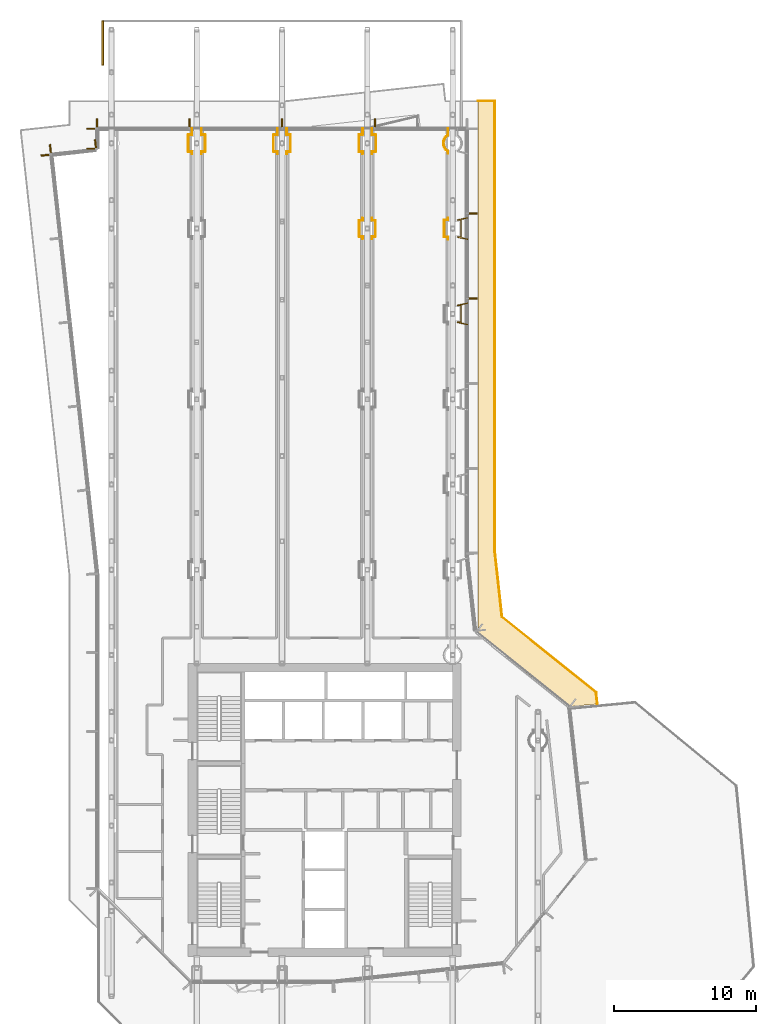
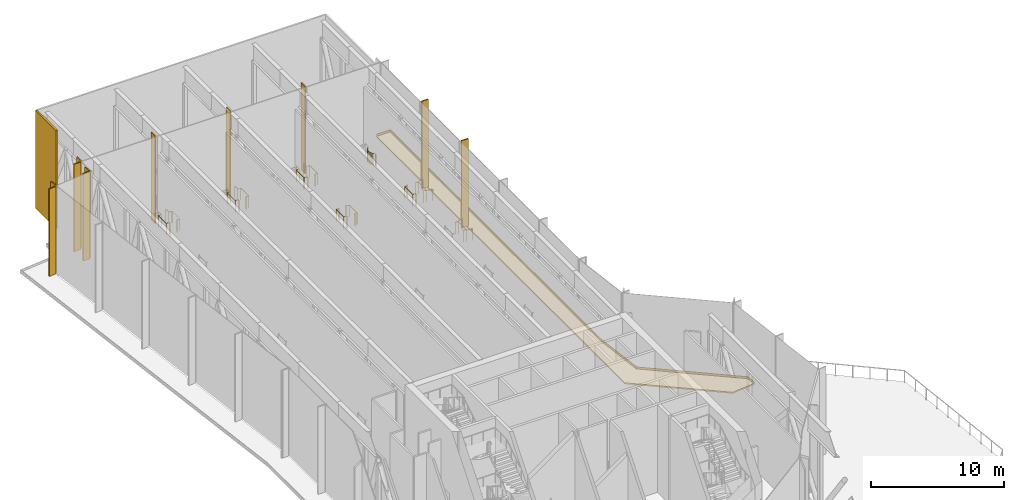
# One storey, part 21 of 22: 14 coverings, 12 railings.
"""IFC4 building model written with IfcOpenShell, lengths in metres."""

from ifc_helpers import new_model, si_unit, direction, frame, origin, origin_2d, place, context, subcontext, project, spatial, polyline, rectangle, circle, outline, extrude, material, layer, layer_set, type_object, element, save


model = new_model("IFC4")

# Units and contexts
model_context = context("Model", 3, precision=1e-05, world=origin(), true_north=direction((0.0, 1.0)))
body_context = subcontext(model_context, "Body", "Model", "MODEL_VIEW")
ifc_project = project(units=[si_unit("LENGTHUNIT", "METRE"), si_unit("AREAUNIT", "SQUARE_METRE"), si_unit("VOLUMEUNIT", "CUBIC_METRE"), si_unit("PLANEANGLEUNIT", "RADIAN"), si_unit("MASSUNIT", "GRAM", prefix="KILO")], contexts=[model_context])

# Site, building, storey
site_placement = place(None, origin())
site = spatial("IfcSite", under=ifc_project, at=site_placement, CompositionType="ELEMENT")
building_placement = place(site_placement, origin())
building = spatial("IfcBuilding", under=site, at=building_placement, Name="Welwitschia Terrace Campus", CompositionType="ELEMENT")
storey_placement = place(building_placement, frame((0.0, 0.0, 197.0)))
storey = spatial("IfcBuildingStorey", under=building, at=storey_placement, Name="L44", CompositionType="ELEMENT", Elevation=197.0)

# Coverings
ifc_material_1 = material(Name="Bronze anodised aluminium", Category="aluminium")
ifc_layer_1 = layer(ifc_material_1, 0.10009765625)
ifc_layer_set_1 = layer_set([ifc_layer_1], Name="Bronze anodised aluminium")
covering_type_1 = type_object("IfcCoveringType", Name="Bronze fin 100x600", PredefinedType="USERDEFINED", material=ifc_layer_set_1)
for number, where, z_axis, x_axis, name in (
    (1, (25.429931640625, 51.085693359375, 0.0), (0.0, 0.0, 1.0), (0.0, 1.0, 0.0), "Fin L44.4.3"),
    (2, (25.429931640625, 57.06787109375, 0.0), (0.0, 0.0, 1.0), (0.0, 1.0, 0.0), "Fin L44.4.4"),
    (3, (18.52490234375, 63.429931640625, 0.0), (0.0, 0.0, 1.0), (-1.0, 0.0, 0.0), "Fin L44.5.1"),
    (4, (12.0, 63.429931640625, 0.0), (0.0, 0.0, 1.0), (-1.0, 0.0, 0.0), "Fin L44.5.2"),
    (5, (5.47509765625, 63.429931640625, 0.0), (0.0, 0.0, 1.0), (-1.0, 0.0, 0.0), "Fin L44.5.3"),
    (6, (-1.02001953125, 63.429931640625, 0.0), (0.0, 0.0, 1.0), (-1.0, 0.0, 0.0), "Fin L44.5.4"),
    (7, (-1.429931640625, 63.02001953125, 0.0), (0.0, 0.0, 1.0), (0.0, -1.0, 0.0), "Fin L44.6.0"),
    (8, (-1.429931640625, 61.61669921875, 0.0), (0.0, 0.0, 1.0), (0.0, -1.0, 0.0), "Fin L44.6.1"),
    (9, (-1.12109375, 61.961181640625, 0.0), (0.0, 0.0, 1.0), (-0.994056338222, -0.108866874852, 0.0), "Fin L44.7.0"),
    (10, (-4.294189453125, 61.61376953125, 0.0), (0.0, 0.0, 1.0), (-0.994056338222, -0.108866874852, 0.0), "Fin L44.7.1"),
    (11, (-4.6572265625, 61.16162109375, 0.0), (0.0, 0.0, 1.0), (0.108866874852, -0.994056338222, 0.0), "Fin L44.8.0"),
):
    element("IfcCovering", number, at=place(storey_placement, frame(where, z_axis=z_axis, x_axis=x_axis)), inside=storey, type_object=covering_type_1, Name=name, ObjectType="FIN", PredefinedType="USERDEFINED", context=body_context, shape_type="SweptSolid", body=[
        extrude(rectangle(XDim=0.10009765625, YDim=0.60009765625, at=origin_2d()), origin(), (0.0, 0.0, 1.0), 8.050048828125),
    ])

# Railings
ifc_material_2 = material(Name="Stainless steel grade 316", Category="steel")
railing_type = type_object("IfcRailingType", Name="Guard 1100", PredefinedType="GUARDRAIL", material=ifc_material_2)
railing_1_placement = place(storey_placement, frame((23.669921875, 63.050048828125, 0.0)))
element("IfcRailing", 12, at=railing_1_placement, inside=storey, type_object=railing_type, Name="Guard floor edge L44.6", PredefinedType="GUARDRAIL", context=body_context, shape_type="SweptSolid", body=[
    extrude(circle(Radius=0.02392578125, at=origin_2d()), frame((0.0, 0.0, 1.076171875), z_axis=(0.0, -1.0, 0.0), x_axis=(1.0, 0.0, 0.0)), (0.0, 0.0, 1.0), 0.498046875),
    extrude(circle(Radius=0.02392578125, at=origin_2d()), frame((0.0, -0.498046875, 1.076171875), z_axis=(-0.883604146744, -0.468234676052, 0.0), x_axis=(0.468234676052, -0.883604146744, 0.0)), (0.0, 0.0, 1.0), 0.0322265625),
    extrude(circle(Radius=0.02392578125, at=origin_2d()), frame((-0.028564453125, -0.51318359375, 1.076171875), z_axis=(-0.773097611008, -0.634287067386, 0.0), x_axis=(0.634287067386, -0.773097611008, 0.0)), (0.0, 0.0, 1.0), 0.126708984375),
    extrude(circle(Radius=0.02392578125, at=origin_2d()), frame((-0.12646484375, -0.593505859375, 1.076171875), z_axis=(-0.634287067386, -0.773097611008, 0.0), x_axis=(0.773097611008, -0.634287067386, 0.0)), (0.0, 0.0, 1.0), 0.126708984375),
    extrude(circle(Radius=0.02392578125, at=origin_2d()), frame((-0.206787109375, -0.69140625, 1.076171875), z_axis=(-0.470988937455, -0.882139116463, 0.0), x_axis=(0.882139116463, -0.470988937455, 0.0)), (0.0, 0.0, 1.0), 0.12646484375),
    extrude(circle(Radius=0.02392578125, at=origin_2d()), frame((-0.266357421875, -0.802978515625, 1.076171875), z_axis=(-0.291238363653, -0.956650519018, 0.0), x_axis=(0.956650519018, -0.291238363653, 0.0)), (0.0, 0.0, 1.0), 0.12646484375),
    extrude(circle(Radius=0.02392578125, at=origin_2d()), frame((-0.30322265625, -0.924072265625, 1.076171875), z_axis=(-0.096447487817, -0.995338074271, 0.0), x_axis=(0.995338074271, -0.096447487817, 0.0)), (0.0, 0.0, 1.0), 0.12646484375),
    extrude(circle(Radius=0.02392578125, at=origin_2d()), frame((-0.3154296875, -1.050048828125, 1.076171875), z_axis=(0.096447487817, -0.995338074271, 0.0), x_axis=(0.995338074271, 0.096447487817, 0.0)), (0.0, 0.0, 1.0), 0.12646484375),
    extrude(circle(Radius=0.02392578125, at=origin_2d()), frame((-0.30322265625, -1.176025390625, 1.076171875), z_axis=(0.291238363653, -0.956650519018, 0.0), x_axis=(0.956650519018, 0.291238363653, 0.0)), (0.0, 0.0, 1.0), 0.12646484375),
    extrude(circle(Radius=0.02392578125, at=origin_2d()), frame((-0.266357421875, -1.297119140625, 1.076171875), z_axis=(0.470988937455, -0.882139116463, 0.0), x_axis=(0.882139116463, 0.470988937455, 0.0)), (0.0, 0.0, 1.0), 0.12646484375),
    extrude(circle(Radius=0.02392578125, at=origin_2d()), frame((-0.206787109375, -1.40869140625, 1.076171875), z_axis=(0.634287067386, -0.773097611008, 0.0), x_axis=(0.773097611008, 0.634287067386, 0.0)), (0.0, 0.0, 1.0), 0.126708984375),
    extrude(circle(Radius=0.02392578125, at=origin_2d()), frame((-0.12646484375, -1.506591796875, 1.076171875), z_axis=(0.773097611008, -0.634287067386, 0.0), x_axis=(0.634287067386, 0.773097611008, 0.0)), (0.0, 0.0, 1.0), 0.126708984375),
    extrude(circle(Radius=0.02392578125, at=origin_2d()), frame((-0.028564453125, -1.5869140625, 1.076171875), z_axis=(0.883604146744, -0.468234676052, 0.0), x_axis=(0.468234676052, 0.883604146744, 0.0)), (0.0, 0.0, 1.0), 0.0322265625),
    extrude(circle(Radius=0.02392578125, at=origin_2d()), frame((0.0, -1.60205078125, 1.076171875), z_axis=(0.0, -1.0, 0.0), x_axis=(1.0, 0.0, 0.0)), (0.0, 0.0, 1.0), 0.181396484375),
    extrude(circle(Radius=0.02099609375, at=origin_2d()), origin(), (0.0, 0.0, 1.0), 1.052001953125),
    extrude(circle(Radius=0.02099609375, at=origin_2d()), frame((0.0, -0.498046875, 0.0)), (0.0, 0.0, 1.0), 1.052001953125),
    extrude(circle(Radius=0.02099609375, at=origin_2d()), frame((-0.028564453125, -0.51318359375, 0.0)), (0.0, 0.0, 1.0), 1.052001953125),
    extrude(circle(Radius=0.02099609375, at=origin_2d()), frame((-0.12646484375, -0.593505859375, 0.0)), (0.0, 0.0, 1.0), 1.052001953125),
    extrude(circle(Radius=0.02099609375, at=origin_2d()), frame((-0.206787109375, -0.69140625, 0.0)), (0.0, 0.0, 1.0), 1.052001953125),
    extrude(circle(Radius=0.02099609375, at=origin_2d()), frame((-0.266357421875, -0.802978515625, 0.0)), (0.0, 0.0, 1.0), 1.052001953125),
    extrude(circle(Radius=0.02099609375, at=origin_2d()), frame((-0.30322265625, -0.924072265625, 0.0)), (0.0, 0.0, 1.0), 1.052001953125),
    extrude(circle(Radius=0.02099609375, at=origin_2d()), frame((-0.3154296875, -1.050048828125, 0.0)), (0.0, 0.0, 1.0), 1.052001953125),
    extrude(circle(Radius=0.02099609375, at=origin_2d()), frame((-0.30322265625, -1.176025390625, 0.0)), (0.0, 0.0, 1.0), 1.052001953125),
    extrude(circle(Radius=0.02099609375, at=origin_2d()), frame((-0.266357421875, -1.297119140625, 0.0)), (0.0, 0.0, 1.0), 1.052001953125),
    extrude(circle(Radius=0.02099609375, at=origin_2d()), frame((-0.206787109375, -1.40869140625, 0.0)), (0.0, 0.0, 1.0), 1.052001953125),
    extrude(circle(Radius=0.02099609375, at=origin_2d()), frame((-0.12646484375, -1.506591796875, 0.0)), (0.0, 0.0, 1.0), 1.052001953125),
    extrude(circle(Radius=0.02099609375, at=origin_2d()), frame((-0.028564453125, -1.5869140625, 0.0)), (0.0, 0.0, 1.0), 1.052001953125),
    extrude(circle(Radius=0.02099609375, at=origin_2d()), frame((0.0, -1.60205078125, 0.0)), (0.0, 0.0, 1.0), 1.052001953125),
    extrude(circle(Radius=0.02099609375, at=origin_2d()), frame((0.0, -1.783447265625, 0.0)), (0.0, 0.0, 1.0), 1.052001953125),
])
railing_2_placement = place(storey_placement, frame((25.050048828125, 49.2451171875, 0.0)))
element("IfcRailing", 13, at=railing_2_placement, inside=storey, type_object=railing_type, Name="Guard floor edge L44.13", PredefinedType="GUARDRAIL", context=body_context, shape_type="SweptSolid", body=[
    extrude(circle(Radius=0.02392578125, at=origin_2d()), frame((0.0, 0.0, 1.076171875), z_axis=(-0.976210421415, 0.216825305536, 0.0), x_axis=(-0.216825305536, -0.976210421415, 0.0)), (0.0, 0.0, 1.0), 0.737548828125),
    extrude(circle(Radius=0.02392578125, at=origin_2d()), frame((-0.719970703125, 0.159912109375, 1.076171875), z_axis=(1.0, 0.0, 0.0), x_axis=(0.0, 1.0, 0.0)), (0.0, 0.0, 1.0), 0.264892578125),
    extrude(circle(Radius=0.02392578125, at=origin_2d()), frame((-0.455078125, 0.159912109375, 1.076171875), z_axis=(0.0, 1.0, 0.0), x_axis=(-1.0, 0.0, 0.0)), (0.0, 0.0, 1.0), 1.18994140625),
    extrude(circle(Radius=0.02392578125, at=origin_2d()), frame((-0.455078125, 1.349853515625, 1.076171875), z_axis=(-1.0, 0.0, 0.0), x_axis=(0.0, -1.0, 0.0)), (0.0, 0.0, 1.0), 0.264892578125),
    extrude(circle(Radius=0.02392578125, at=origin_2d()), frame((-0.719970703125, 1.349853515625, 1.076171875), z_axis=(0.976210421415, 0.216825305536, 0.0), x_axis=(-0.216825305536, 0.976210421415, 0.0)), (0.0, 0.0, 1.0), 0.737548828125),
    extrude(circle(Radius=0.02099609375, at=origin_2d()), origin(), (0.0, 0.0, 1.0), 1.052001953125),
    extrude(circle(Radius=0.02099609375, at=origin_2d()), frame((-0.719970703125, 0.159912109375, 0.0)), (0.0, 0.0, 1.0), 1.052001953125),
    extrude(circle(Radius=0.02099609375, at=origin_2d()), frame((-0.455078125, 0.159912109375, 0.0)), (0.0, 0.0, 1.0), 1.052001953125),
    extrude(circle(Radius=0.02099609375, at=origin_2d()), frame((-0.455078125, 1.349853515625, 0.0)), (0.0, 0.0, 1.0), 1.052001953125),
    extrude(circle(Radius=0.02099609375, at=origin_2d()), frame((-0.719970703125, 1.349853515625, 0.0)), (0.0, 0.0, 1.0), 1.052001953125),
    extrude(circle(Radius=0.02099609375, at=origin_2d()), frame((0.0, 1.509765625, 0.0)), (0.0, 0.0, 1.0), 1.052001953125),
])
railing_3_placement = place(storey_placement, frame((23.669921875, 56.7548828125, 0.0)))
element("IfcRailing", 14, at=railing_3_placement, inside=storey, type_object=railing_type, Name="Guard floor edge L44.14", PredefinedType="GUARDRAIL", context=body_context, shape_type="SweptSolid", body=[
    extrude(circle(Radius=0.02392578125, at=origin_2d()), frame((0.0, 0.0, 1.076171875), z_axis=(0.0, -1.0, 0.0), x_axis=(1.0, 0.0, 0.0)), (0.0, 0.0, 1.0), 0.159912109375),
    extrude(circle(Radius=0.02392578125, at=origin_2d()), frame((0.0, -0.159912109375, 1.076171875), z_axis=(-1.0, 0.0, 0.0), x_axis=(0.0, -1.0, 0.0)), (0.0, 0.0, 1.0), 0.264892578125),
    extrude(circle(Radius=0.02392578125, at=origin_2d()), frame((-0.264892578125, -0.159912109375, 1.076171875), z_axis=(0.0, -1.0, 0.0), x_axis=(1.0, 0.0, 0.0)), (0.0, 0.0, 1.0), 1.18994140625),
    extrude(circle(Radius=0.02392578125, at=origin_2d()), frame((-0.264892578125, -1.349853515625, 1.076171875), z_axis=(1.0, 0.0, 0.0), x_axis=(0.0, 1.0, 0.0)), (0.0, 0.0, 1.0), 0.264892578125),
    extrude(circle(Radius=0.02392578125, at=origin_2d()), frame((0.0, -1.349853515625, 1.076171875), z_axis=(0.0, -1.0, 0.0), x_axis=(1.0, 0.0, 0.0)), (0.0, 0.0, 1.0), 0.159912109375),
    extrude(circle(Radius=0.02099609375, at=origin_2d()), origin(), (0.0, 0.0, 1.0), 1.052001953125),
    extrude(circle(Radius=0.02099609375, at=origin_2d()), frame((0.0, -0.159912109375, 0.0)), (0.0, 0.0, 1.0), 1.052001953125),
    extrude(circle(Radius=0.02099609375, at=origin_2d()), frame((-0.264892578125, -0.159912109375, 0.0)), (0.0, 0.0, 1.0), 1.052001953125),
    extrude(circle(Radius=0.02099609375, at=origin_2d()), frame((-0.264892578125, -1.349853515625, 0.0)), (0.0, 0.0, 1.0), 1.052001953125),
    extrude(circle(Radius=0.02099609375, at=origin_2d()), frame((0.0, -1.349853515625, 0.0)), (0.0, 0.0, 1.0), 1.052001953125),
    extrude(circle(Radius=0.02099609375, at=origin_2d()), frame((0.0, -1.509765625, 0.0)), (0.0, 0.0, 1.0), 1.052001953125),
])
railing_4_placement = place(storey_placement, frame((25.050048828125, 55.2451171875, 0.0)))
element("IfcRailing", 15, at=railing_4_placement, inside=storey, type_object=railing_type, Name="Guard floor edge L44.15", PredefinedType="GUARDRAIL", context=body_context, shape_type="SweptSolid", body=[
    extrude(circle(Radius=0.02392578125, at=origin_2d()), frame((0.0, 0.0, 1.076171875), z_axis=(-0.976210421415, 0.216825305536, 0.0), x_axis=(-0.216825305536, -0.976210421415, 0.0)), (0.0, 0.0, 1.0), 0.737548828125),
    extrude(circle(Radius=0.02392578125, at=origin_2d()), frame((-0.719970703125, 0.159912109375, 1.076171875), z_axis=(1.0, 0.0, 0.0), x_axis=(0.0, 1.0, 0.0)), (0.0, 0.0, 1.0), 0.264892578125),
    extrude(circle(Radius=0.02392578125, at=origin_2d()), frame((-0.455078125, 0.159912109375, 1.076171875), z_axis=(0.0, 1.0, 0.0), x_axis=(-1.0, 0.0, 0.0)), (0.0, 0.0, 1.0), 1.18994140625),
    extrude(circle(Radius=0.02392578125, at=origin_2d()), frame((-0.455078125, 1.349853515625, 1.076171875), z_axis=(-1.0, 0.0, 0.0), x_axis=(0.0, -1.0, 0.0)), (0.0, 0.0, 1.0), 0.264892578125),
    extrude(circle(Radius=0.02392578125, at=origin_2d()), frame((-0.719970703125, 1.349853515625, 1.076171875), z_axis=(0.976210421415, 0.216825305536, 0.0), x_axis=(-0.216825305536, 0.976210421415, 0.0)), (0.0, 0.0, 1.0), 0.737548828125),
    extrude(circle(Radius=0.02099609375, at=origin_2d()), origin(), (0.0, 0.0, 1.0), 1.052001953125),
    extrude(circle(Radius=0.02099609375, at=origin_2d()), frame((-0.719970703125, 0.159912109375, 0.0)), (0.0, 0.0, 1.0), 1.052001953125),
    extrude(circle(Radius=0.02099609375, at=origin_2d()), frame((-0.455078125, 0.159912109375, 0.0)), (0.0, 0.0, 1.0), 1.052001953125),
    extrude(circle(Radius=0.02099609375, at=origin_2d()), frame((-0.455078125, 1.349853515625, 0.0)), (0.0, 0.0, 1.0), 1.052001953125),
    extrude(circle(Radius=0.02099609375, at=origin_2d()), frame((-0.719970703125, 1.349853515625, 0.0)), (0.0, 0.0, 1.0), 1.052001953125),
    extrude(circle(Radius=0.02099609375, at=origin_2d()), frame((0.0, 1.509765625, 0.0)), (0.0, 0.0, 1.0), 1.052001953125),
])
railing_5_placement = place(storey_placement, frame((17.669921875, 63.050048828125, 0.0)))
element("IfcRailing", 16, at=railing_5_placement, inside=storey, type_object=railing_type, Name="Guard floor edge L44.20", PredefinedType="GUARDRAIL", context=body_context, shape_type="SweptSolid", body=[
    extrude(circle(Radius=0.02392578125, at=origin_2d()), frame((0.0, 0.0, 1.076171875), z_axis=(0.0, -1.0, 0.0), x_axis=(1.0, 0.0, 0.0)), (0.0, 0.0, 1.0), 0.455078125),
    extrude(circle(Radius=0.02392578125, at=origin_2d()), frame((0.0, -0.455078125, 1.076171875), z_axis=(-1.0, 0.0, 0.0), x_axis=(0.0, -1.0, 0.0)), (0.0, 0.0, 1.0), 0.264892578125),
    extrude(circle(Radius=0.02392578125, at=origin_2d()), frame((-0.264892578125, -0.455078125, 1.076171875), z_axis=(0.0, -1.0, 0.0), x_axis=(1.0, 0.0, 0.0)), (0.0, 0.0, 1.0), 1.18994140625),
    extrude(circle(Radius=0.02392578125, at=origin_2d()), frame((-0.264892578125, -1.64501953125, 1.076171875), z_axis=(1.0, 0.0, 0.0), x_axis=(0.0, 1.0, 0.0)), (0.0, 0.0, 1.0), 0.264892578125),
    extrude(circle(Radius=0.02392578125, at=origin_2d()), frame((0.0, -1.64501953125, 1.076171875), z_axis=(0.0, -1.0, 0.0), x_axis=(1.0, 0.0, 0.0)), (0.0, 0.0, 1.0), 0.159912109375),
    extrude(circle(Radius=0.02099609375, at=origin_2d()), origin(), (0.0, 0.0, 1.0), 1.052001953125),
    extrude(circle(Radius=0.02099609375, at=origin_2d()), frame((0.0, -0.455078125, 0.0)), (0.0, 0.0, 1.0), 1.052001953125),
    extrude(circle(Radius=0.02099609375, at=origin_2d()), frame((-0.264892578125, -0.455078125, 0.0)), (0.0, 0.0, 1.0), 1.052001953125),
    extrude(circle(Radius=0.02099609375, at=origin_2d()), frame((-0.264892578125, -1.64501953125, 0.0)), (0.0, 0.0, 1.0), 1.052001953125),
    extrude(circle(Radius=0.02099609375, at=origin_2d()), frame((0.0, -1.64501953125, 0.0)), (0.0, 0.0, 1.0), 1.052001953125),
    extrude(circle(Radius=0.02099609375, at=origin_2d()), frame((0.0, -1.804931640625, 0.0)), (0.0, 0.0, 1.0), 1.052001953125),
])
railing_6_placement = place(storey_placement, frame((18.330078125, 61.2451171875, 0.0)))
element("IfcRailing", 17, at=railing_6_placement, inside=storey, type_object=railing_type, Name="Guard floor edge L44.21", PredefinedType="GUARDRAIL", context=body_context, shape_type="SweptSolid", body=[
    extrude(circle(Radius=0.02392578125, at=origin_2d()), frame((0.0, 0.0, 1.076171875), z_axis=(0.0, 1.0, 0.0), x_axis=(-1.0, 0.0, 0.0)), (0.0, 0.0, 1.0), 0.159912109375),
    extrude(circle(Radius=0.02392578125, at=origin_2d()), frame((0.0, 0.159912109375, 1.076171875), z_axis=(1.0, 0.0, 0.0), x_axis=(0.0, 1.0, 0.0)), (0.0, 0.0, 1.0), 0.264892578125),
    extrude(circle(Radius=0.02392578125, at=origin_2d()), frame((0.264892578125, 0.159912109375, 1.076171875), z_axis=(0.0, 1.0, 0.0), x_axis=(-1.0, 0.0, 0.0)), (0.0, 0.0, 1.0), 1.18994140625),
    extrude(circle(Radius=0.02392578125, at=origin_2d()), frame((0.264892578125, 1.349853515625, 1.076171875), z_axis=(-1.0, 0.0, 0.0), x_axis=(0.0, -1.0, 0.0)), (0.0, 0.0, 1.0), 0.264892578125),
    extrude(circle(Radius=0.02392578125, at=origin_2d()), frame((0.0, 1.349853515625, 1.076171875), z_axis=(0.0, 1.0, 0.0), x_axis=(-1.0, 0.0, 0.0)), (0.0, 0.0, 1.0), 0.455078125),
    extrude(circle(Radius=0.02099609375, at=origin_2d()), origin(), (0.0, 0.0, 1.0), 1.052001953125),
    extrude(circle(Radius=0.02099609375, at=origin_2d()), frame((0.0, 0.159912109375, 0.0)), (0.0, 0.0, 1.0), 1.052001953125),
    extrude(circle(Radius=0.02099609375, at=origin_2d()), frame((0.264892578125, 0.159912109375, 0.0)), (0.0, 0.0, 1.0), 1.052001953125),
    extrude(circle(Radius=0.02099609375, at=origin_2d()), frame((0.264892578125, 1.349853515625, 0.0)), (0.0, 0.0, 1.0), 1.052001953125),
    extrude(circle(Radius=0.02099609375, at=origin_2d()), frame((0.0, 1.349853515625, 0.0)), (0.0, 0.0, 1.0), 1.052001953125),
    extrude(circle(Radius=0.02099609375, at=origin_2d()), frame((0.0, 1.804931640625, 0.0)), (0.0, 0.0, 1.0), 1.052001953125),
])
railing_7_placement = place(storey_placement, frame((17.669921875, 56.72998046875, 0.0)))
element("IfcRailing", 18, at=railing_7_placement, inside=storey, type_object=railing_type, Name="Guard floor edge L44.24", PredefinedType="GUARDRAIL", context=body_context, shape_type="SweptSolid", body=[
    extrude(circle(Radius=0.02392578125, at=origin_2d()), frame((0.0, 0.0, 1.076171875), z_axis=(0.0, -1.0, 0.0), x_axis=(1.0, 0.0, 0.0)), (0.0, 0.0, 1.0), 0.159912109375),
    extrude(circle(Radius=0.02392578125, at=origin_2d()), frame((0.0, -0.159912109375, 1.076171875), z_axis=(-1.0, 0.0, 0.0), x_axis=(0.0, -1.0, 0.0)), (0.0, 0.0, 1.0), 0.239990234375),
    extrude(circle(Radius=0.02392578125, at=origin_2d()), frame((-0.239990234375, -0.159912109375, 1.076171875), z_axis=(0.0, -1.0, 0.0), x_axis=(1.0, 0.0, 0.0)), (0.0, 0.0, 1.0), 1.14013671875),
    extrude(circle(Radius=0.02392578125, at=origin_2d()), frame((-0.239990234375, -1.300048828125, 1.076171875), z_axis=(1.0, 0.0, 0.0), x_axis=(0.0, 1.0, 0.0)), (0.0, 0.0, 1.0), 0.239990234375),
    extrude(circle(Radius=0.02392578125, at=origin_2d()), frame((0.0, -1.300048828125, 1.076171875), z_axis=(0.0, -1.0, 0.0), x_axis=(1.0, 0.0, 0.0)), (0.0, 0.0, 1.0), 0.159912109375),
    extrude(circle(Radius=0.02099609375, at=origin_2d()), origin(), (0.0, 0.0, 1.0), 1.052001953125),
    extrude(circle(Radius=0.02099609375, at=origin_2d()), frame((0.0, -0.159912109375, 0.0)), (0.0, 0.0, 1.0), 1.052001953125),
    extrude(circle(Radius=0.02099609375, at=origin_2d()), frame((-0.239990234375, -0.159912109375, 0.0)), (0.0, 0.0, 1.0), 1.052001953125),
    extrude(circle(Radius=0.02099609375, at=origin_2d()), frame((-0.239990234375, -1.300048828125, 0.0)), (0.0, 0.0, 1.0), 1.052001953125),
    extrude(circle(Radius=0.02099609375, at=origin_2d()), frame((0.0, -1.300048828125, 0.0)), (0.0, 0.0, 1.0), 1.052001953125),
    extrude(circle(Radius=0.02099609375, at=origin_2d()), frame((0.0, -1.4599609375, 0.0)), (0.0, 0.0, 1.0), 1.052001953125),
])
railing_8_placement = place(storey_placement, frame((18.330078125, 55.27001953125, 0.0)))
element("IfcRailing", 19, at=railing_8_placement, inside=storey, type_object=railing_type, Name="Guard floor edge L44.25", PredefinedType="GUARDRAIL", context=body_context, shape_type="SweptSolid", body=[
    extrude(circle(Radius=0.02392578125, at=origin_2d()), frame((0.0, 0.0, 1.076171875), z_axis=(0.0, 1.0, 0.0), x_axis=(-1.0, 0.0, 0.0)), (0.0, 0.0, 1.0), 0.159912109375),
    extrude(circle(Radius=0.02392578125, at=origin_2d()), frame((0.0, 0.159912109375, 1.076171875), z_axis=(1.0, 0.0, 0.0), x_axis=(0.0, 1.0, 0.0)), (0.0, 0.0, 1.0), 0.239990234375),
    extrude(circle(Radius=0.02392578125, at=origin_2d()), frame((0.239990234375, 0.159912109375, 1.076171875), z_axis=(0.0, 1.0, 0.0), x_axis=(-1.0, 0.0, 0.0)), (0.0, 0.0, 1.0), 1.14013671875),
    extrude(circle(Radius=0.02392578125, at=origin_2d()), frame((0.239990234375, 1.300048828125, 1.076171875), z_axis=(-1.0, 0.0, 0.0), x_axis=(0.0, -1.0, 0.0)), (0.0, 0.0, 1.0), 0.239990234375),
    extrude(circle(Radius=0.02392578125, at=origin_2d()), frame((0.0, 1.300048828125, 1.076171875), z_axis=(0.0, 1.0, 0.0), x_axis=(-1.0, 0.0, 0.0)), (0.0, 0.0, 1.0), 0.159912109375),
    extrude(circle(Radius=0.02099609375, at=origin_2d()), origin(), (0.0, 0.0, 1.0), 1.052001953125),
    extrude(circle(Radius=0.02099609375, at=origin_2d()), frame((0.0, 0.159912109375, 0.0)), (0.0, 0.0, 1.0), 1.052001953125),
    extrude(circle(Radius=0.02099609375, at=origin_2d()), frame((0.239990234375, 0.159912109375, 0.0)), (0.0, 0.0, 1.0), 1.052001953125),
    extrude(circle(Radius=0.02099609375, at=origin_2d()), frame((0.239990234375, 1.300048828125, 0.0)), (0.0, 0.0, 1.0), 1.052001953125),
    extrude(circle(Radius=0.02099609375, at=origin_2d()), frame((0.0, 1.300048828125, 0.0)), (0.0, 0.0, 1.0), 1.052001953125),
    extrude(circle(Radius=0.02099609375, at=origin_2d()), frame((0.0, 1.4599609375, 0.0)), (0.0, 0.0, 1.0), 1.052001953125),
])
railing_9_placement = place(storey_placement, frame((11.669921875, 63.050048828125, 0.0)))
element("IfcRailing", 20, at=railing_9_placement, inside=storey, type_object=railing_type, Name="Guard floor edge L44.29", PredefinedType="GUARDRAIL", context=body_context, shape_type="SweptSolid", body=[
    extrude(circle(Radius=0.02392578125, at=origin_2d()), frame((0.0, 0.0, 1.076171875), z_axis=(0.0, -1.0, 0.0), x_axis=(1.0, 0.0, 0.0)), (0.0, 0.0, 1.0), 0.455078125),
    extrude(circle(Radius=0.02392578125, at=origin_2d()), frame((0.0, -0.455078125, 1.076171875), z_axis=(-1.0, 0.0, 0.0), x_axis=(0.0, -1.0, 0.0)), (0.0, 0.0, 1.0), 0.264892578125),
    extrude(circle(Radius=0.02392578125, at=origin_2d()), frame((-0.264892578125, -0.455078125, 1.076171875), z_axis=(0.0, -1.0, 0.0), x_axis=(1.0, 0.0, 0.0)), (0.0, 0.0, 1.0), 1.18994140625),
    extrude(circle(Radius=0.02392578125, at=origin_2d()), frame((-0.264892578125, -1.64501953125, 1.076171875), z_axis=(1.0, 0.0, 0.0), x_axis=(0.0, 1.0, 0.0)), (0.0, 0.0, 1.0), 0.264892578125),
    extrude(circle(Radius=0.02392578125, at=origin_2d()), frame((0.0, -1.64501953125, 1.076171875), z_axis=(0.0, -1.0, 0.0), x_axis=(1.0, 0.0, 0.0)), (0.0, 0.0, 1.0), 0.159912109375),
    extrude(circle(Radius=0.02099609375, at=origin_2d()), origin(), (0.0, 0.0, 1.0), 1.052001953125),
    extrude(circle(Radius=0.02099609375, at=origin_2d()), frame((0.0, -0.455078125, 0.0)), (0.0, 0.0, 1.0), 1.052001953125),
    extrude(circle(Radius=0.02099609375, at=origin_2d()), frame((-0.264892578125, -0.455078125, 0.0)), (0.0, 0.0, 1.0), 1.052001953125),
    extrude(circle(Radius=0.02099609375, at=origin_2d()), frame((-0.264892578125, -1.64501953125, 0.0)), (0.0, 0.0, 1.0), 1.052001953125),
    extrude(circle(Radius=0.02099609375, at=origin_2d()), frame((0.0, -1.64501953125, 0.0)), (0.0, 0.0, 1.0), 1.052001953125),
    extrude(circle(Radius=0.02099609375, at=origin_2d()), frame((0.0, -1.804931640625, 0.0)), (0.0, 0.0, 1.0), 1.052001953125),
])
railing_10_placement = place(storey_placement, frame((12.330078125, 61.2451171875, 0.0)))
element("IfcRailing", 21, at=railing_10_placement, inside=storey, type_object=railing_type, Name="Guard floor edge L44.30", PredefinedType="GUARDRAIL", context=body_context, shape_type="SweptSolid", body=[
    extrude(circle(Radius=0.02392578125, at=origin_2d()), frame((0.0, 0.0, 1.076171875), z_axis=(0.0, 1.0, 0.0), x_axis=(-1.0, 0.0, 0.0)), (0.0, 0.0, 1.0), 0.159912109375),
    extrude(circle(Radius=0.02392578125, at=origin_2d()), frame((0.0, 0.159912109375, 1.076171875), z_axis=(1.0, 0.0, 0.0), x_axis=(0.0, 1.0, 0.0)), (0.0, 0.0, 1.0), 0.264892578125),
    extrude(circle(Radius=0.02392578125, at=origin_2d()), frame((0.264892578125, 0.159912109375, 1.076171875), z_axis=(0.0, 1.0, 0.0), x_axis=(-1.0, 0.0, 0.0)), (0.0, 0.0, 1.0), 1.18994140625),
    extrude(circle(Radius=0.02392578125, at=origin_2d()), frame((0.264892578125, 1.349853515625, 1.076171875), z_axis=(-1.0, 0.0, 0.0), x_axis=(0.0, -1.0, 0.0)), (0.0, 0.0, 1.0), 0.264892578125),
    extrude(circle(Radius=0.02392578125, at=origin_2d()), frame((0.0, 1.349853515625, 1.076171875), z_axis=(0.0, 1.0, 0.0), x_axis=(-1.0, 0.0, 0.0)), (0.0, 0.0, 1.0), 0.455078125),
    extrude(circle(Radius=0.02099609375, at=origin_2d()), origin(), (0.0, 0.0, 1.0), 1.052001953125),
    extrude(circle(Radius=0.02099609375, at=origin_2d()), frame((0.0, 0.159912109375, 0.0)), (0.0, 0.0, 1.0), 1.052001953125),
    extrude(circle(Radius=0.02099609375, at=origin_2d()), frame((0.264892578125, 0.159912109375, 0.0)), (0.0, 0.0, 1.0), 1.052001953125),
    extrude(circle(Radius=0.02099609375, at=origin_2d()), frame((0.264892578125, 1.349853515625, 0.0)), (0.0, 0.0, 1.0), 1.052001953125),
    extrude(circle(Radius=0.02099609375, at=origin_2d()), frame((0.0, 1.349853515625, 0.0)), (0.0, 0.0, 1.0), 1.052001953125),
    extrude(circle(Radius=0.02099609375, at=origin_2d()), frame((0.0, 1.804931640625, 0.0)), (0.0, 0.0, 1.0), 1.052001953125),
])
railing_11_placement = place(storey_placement, frame((5.669921875, 63.050048828125, 0.0)))
element("IfcRailing", 22, at=railing_11_placement, inside=storey, type_object=railing_type, Name="Guard floor edge L44.32", PredefinedType="GUARDRAIL", context=body_context, shape_type="SweptSolid", body=[
    extrude(circle(Radius=0.02392578125, at=origin_2d()), frame((0.0, 0.0, 1.076171875), z_axis=(0.0, -1.0, 0.0), x_axis=(1.0, 0.0, 0.0)), (0.0, 0.0, 1.0), 0.455078125),
    extrude(circle(Radius=0.02392578125, at=origin_2d()), frame((0.0, -0.455078125, 1.076171875), z_axis=(-1.0, 0.0, 0.0), x_axis=(0.0, -1.0, 0.0)), (0.0, 0.0, 1.0), 0.264892578125),
    extrude(circle(Radius=0.02392578125, at=origin_2d()), frame((-0.264892578125, -0.455078125, 1.076171875), z_axis=(0.0, -1.0, 0.0), x_axis=(1.0, 0.0, 0.0)), (0.0, 0.0, 1.0), 1.18994140625),
    extrude(circle(Radius=0.02392578125, at=origin_2d()), frame((-0.264892578125, -1.64501953125, 1.076171875), z_axis=(1.0, 0.0, 0.0), x_axis=(0.0, 1.0, 0.0)), (0.0, 0.0, 1.0), 0.264892578125),
    extrude(circle(Radius=0.02392578125, at=origin_2d()), frame((0.0, -1.64501953125, 1.076171875), z_axis=(0.0, -1.0, 0.0), x_axis=(1.0, 0.0, 0.0)), (0.0, 0.0, 1.0), 0.159912109375),
    extrude(circle(Radius=0.02099609375, at=origin_2d()), origin(), (0.0, 0.0, 1.0), 1.052001953125),
    extrude(circle(Radius=0.02099609375, at=origin_2d()), frame((0.0, -0.455078125, 0.0)), (0.0, 0.0, 1.0), 1.052001953125),
    extrude(circle(Radius=0.02099609375, at=origin_2d()), frame((-0.264892578125, -0.455078125, 0.0)), (0.0, 0.0, 1.0), 1.052001953125),
    extrude(circle(Radius=0.02099609375, at=origin_2d()), frame((-0.264892578125, -1.64501953125, 0.0)), (0.0, 0.0, 1.0), 1.052001953125),
    extrude(circle(Radius=0.02099609375, at=origin_2d()), frame((0.0, -1.64501953125, 0.0)), (0.0, 0.0, 1.0), 1.052001953125),
    extrude(circle(Radius=0.02099609375, at=origin_2d()), frame((0.0, -1.804931640625, 0.0)), (0.0, 0.0, 1.0), 1.052001953125),
])
railing_12_placement = place(storey_placement, frame((6.330078125, 61.2451171875, 0.0)))
element("IfcRailing", 23, at=railing_12_placement, inside=storey, type_object=railing_type, Name="Guard floor edge L44.33", PredefinedType="GUARDRAIL", context=body_context, shape_type="SweptSolid", body=[
    extrude(circle(Radius=0.02392578125, at=origin_2d()), frame((0.0, 0.0, 1.076171875), z_axis=(0.0, 1.0, 0.0), x_axis=(-1.0, 0.0, 0.0)), (0.0, 0.0, 1.0), 0.159912109375),
    extrude(circle(Radius=0.02392578125, at=origin_2d()), frame((0.0, 0.159912109375, 1.076171875), z_axis=(1.0, 0.0, 0.0), x_axis=(0.0, 1.0, 0.0)), (0.0, 0.0, 1.0), 0.264892578125),
    extrude(circle(Radius=0.02392578125, at=origin_2d()), frame((0.264892578125, 0.159912109375, 1.076171875), z_axis=(0.0, 1.0, 0.0), x_axis=(-1.0, 0.0, 0.0)), (0.0, 0.0, 1.0), 1.18994140625),
    extrude(circle(Radius=0.02392578125, at=origin_2d()), frame((0.264892578125, 1.349853515625, 1.076171875), z_axis=(-1.0, 0.0, 0.0), x_axis=(0.0, -1.0, 0.0)), (0.0, 0.0, 1.0), 0.264892578125),
    extrude(circle(Radius=0.02392578125, at=origin_2d()), frame((0.0, 1.349853515625, 1.076171875), z_axis=(0.0, 1.0, 0.0), x_axis=(-1.0, 0.0, 0.0)), (0.0, 0.0, 1.0), 0.455078125),
    extrude(circle(Radius=0.02099609375, at=origin_2d()), origin(), (0.0, 0.0, 1.0), 1.052001953125),
    extrude(circle(Radius=0.02099609375, at=origin_2d()), frame((0.0, 0.159912109375, 0.0)), (0.0, 0.0, 1.0), 1.052001953125),
    extrude(circle(Radius=0.02099609375, at=origin_2d()), frame((0.264892578125, 0.159912109375, 0.0)), (0.0, 0.0, 1.0), 1.052001953125),
    extrude(circle(Radius=0.02099609375, at=origin_2d()), frame((0.264892578125, 1.349853515625, 0.0)), (0.0, 0.0, 1.0), 1.052001953125),
    extrude(circle(Radius=0.02099609375, at=origin_2d()), frame((0.0, 1.349853515625, 0.0)), (0.0, 0.0, 1.0), 1.052001953125),
    extrude(circle(Radius=0.02099609375, at=origin_2d()), frame((0.0, 1.804931640625, 0.0)), (0.0, 0.0, 1.0), 1.052001953125),
])

# Coverings
ifc_material_3 = material(Name="Bronze anodised aluminium", Category="aluminium")
ifc_layer_2 = layer(ifc_material_3, 0.139892578125)
ifc_layer_set_2 = layer_set([ifc_layer_2], Name="Bronze anodised aluminium")
covering_type_2 = type_object("IfcCoveringType", Name="Soffit fascia cladding 140", PredefinedType="CLADDING", material=ifc_layer_set_2)
covering_1_placement = place(storey_placement, frame((0.0, 0.0, -1.0)))
element("IfcCovering", 24, at=covering_1_placement, inside=storey, type_object=covering_type_2, Name="Clad fascia L44.tip fascia Nt0 w", PredefinedType="CLADDING", context=body_context, shape_type="SweptSolid", body=[
    extrude(outline(polyline([(-0.669921875, 70.60009765625), (-0.669921875, 67.5), (-0.530029296875, 67.5), (-0.530029296875, 70.60009765625), (-0.669921875, 70.60009765625)])), origin(), (0.0, 0.0, 1.0), 9.050048828125),
])
ifc_material_4 = material(Name="Bronze anodised aluminium", Category="aluminium")
ifc_layer_3 = layer(ifc_material_4, 0.1201171875)
ifc_layer_set_3 = layer_set([ifc_layer_3], Name="Bronze anodised aluminium")
covering_type_3 = type_object("IfcCoveringType", Name="Sunshade band 2000", PredefinedType="USERDEFINED", material=ifc_layer_set_3)
covering_2_placement = place(storey_placement, frame((0.0, 0.0, -0.300048828125)))
element("IfcCovering", 25, at=covering_2_placement, inside=storey, type_object=covering_type_3, Name="SUNSHADE L44.SE0", ObjectType="SUNSHADE", PredefinedType="USERDEFINED", context=body_context, shape_type="SweptSolid", body=[
    extrude(outline(polyline([(27.0, 65.0), (27.0, 33.24609375), (27.498779296875, 28.69189453125), (34.1162109375, 23.380615234375), (34.205810546875, 22.564697265625), (32.180419921875, 22.369873046875), (25.7724609375, 27.512939453125), (25.7724609375, 65.0), (27.0, 65.0)])), origin(), (0.0, 0.0, 1.0), 0.1201171875),
])
ifc_material_5 = material(Name="Bronze anodised aluminium", Category="aluminium")
ifc_layer_4 = layer(ifc_material_5, 0.06005859375)
ifc_layer_set_4 = layer_set([ifc_layer_4], Name="Bronze anodised aluminium")
covering_type_4 = type_object("IfcCoveringType", Name="Sunshade lip 60", PredefinedType="USERDEFINED", material=ifc_layer_set_4)
covering_3_placement = place(storey_placement, frame((0.0, 0.0, -0.179931640625)))
element("IfcCovering", 26, at=covering_3_placement, inside=storey, type_object=covering_type_4, Name="SUNSHADE LIP L44.SE0.0", ObjectType="SUNSHADE", PredefinedType="USERDEFINED", context=body_context, shape_type="SweptSolid", body=[
    extrude(outline(polyline([(27.0, 33.24609375), (27.498779296875, 28.69189453125), (34.1162109375, 23.380615234375), (34.205810546875, 22.564697265625), (34.14599609375, 22.55908203125), (34.059326171875, 23.349609375), (27.44189453125, 28.66064453125), (26.93994140625, 33.24267578125), (26.93994140625, 64.93994140625), (25.7724609375, 64.93994140625), (25.7724609375, 65.0), (27.0, 65.0), (27.0, 33.24609375)])), origin(), (0.0, 0.0, 1.0), 0.179931640625),
])

save(model, "model.ifc")
